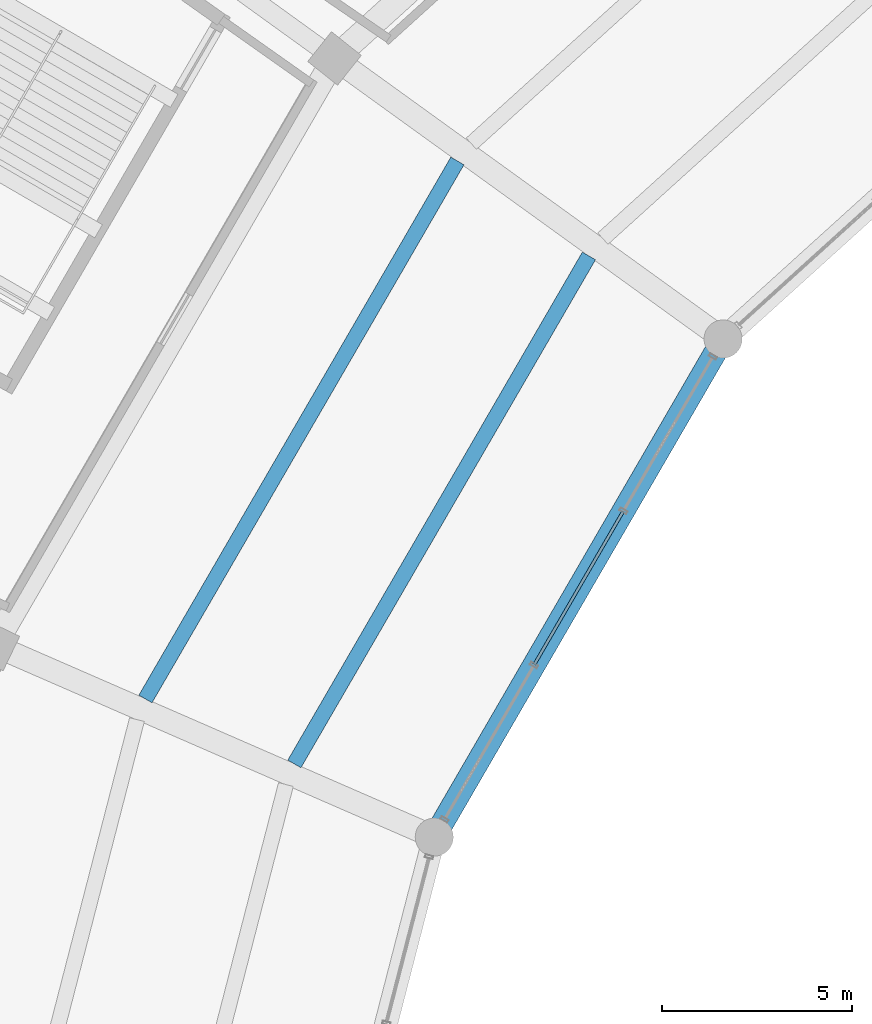
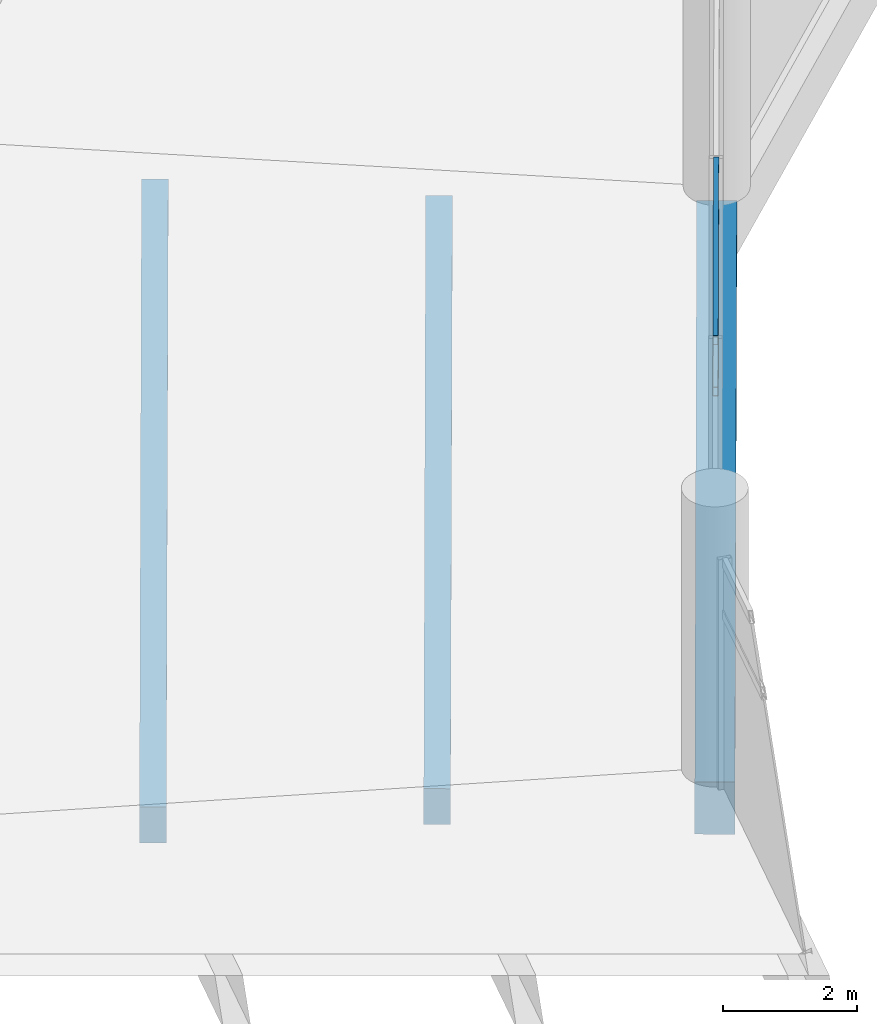
# One storey, part 58 of 184: 3 beams, 2 members, 1 element without a shape of its own.
"""IFC4 building model written with IfcOpenShell, lengths in metres."""

from ifc_helpers import new_model, si_unit, direction, frame, origin, origin_2d, place, context, subcontext, project, spatial, rectangle, hollow_rectangle, extrude, material, layer, layer_set, material_profile, profile_set, type_object, element, aggregate, save


model = new_model("IFC4")

# Units and contexts
model_context = context("Model", 3, precision=1e-05, world=origin(), true_north=direction((0.0, 1.0)))
body_context = subcontext(model_context, "Body", "Model", "MODEL_VIEW")
ifc_project = project(units=[si_unit("LENGTHUNIT", "METRE"), si_unit("AREAUNIT", "SQUARE_METRE"), si_unit("VOLUMEUNIT", "CUBIC_METRE"), si_unit("PLANEANGLEUNIT", "RADIAN"), si_unit("MASSUNIT", "GRAM", prefix="KILO")], contexts=[model_context])

# Site, building, storey
site_placement = place(None, origin())
site = spatial("IfcSite", under=ifc_project, at=site_placement, CompositionType="ELEMENT")
building_placement = place(site_placement, origin())
building = spatial("IfcBuilding", under=site, at=building_placement, Name="Kazemori Nagisa Stadium", CompositionType="ELEMENT")
storey_placement = place(building_placement, frame((0.0, 0.0, 10.5400390625)))
storey = spatial("IfcBuildingStorey", under=building, at=storey_placement, Name="L02", CompositionType="ELEMENT", Elevation=10.5400390625)

# Beams
ifc_material_1 = material(Name="Concrete C40/50 (Fc42)", Category="concrete")
ifc_material_profile_1 = material_profile(ifc_material_1, rectangle(XDim=0.60009765625, YDim=0.949951171875, at=origin_2d()), Name="RC-BM-600x950")
ifc_profile_set_1 = profile_set([ifc_material_profile_1], Name="Concrete C40/50 (Fc42)")
beam_type_1 = type_object("IfcBeamType", Name="Beam_BG-RC600X950", PredefinedType="BEAM", material=ifc_profile_set_1)
beam_1_placement = place(storey_placement, frame((65.698486328125, 143.367431640625, -0.735107421875), z_axis=(-0.501613453924, -0.865091869597, 0.0), x_axis=(0.865091869597, -0.501613453924, 0.0)))
element("IfcBeam", 1, at=beam_1_placement, inside=storey, type_object=beam_type_1, Name="Ring girder BG-RC600X950 L02 R1-12", PredefinedType="BEAM", context=body_context, shape_type="SweptSolid", body=[
    extrude(rectangle(XDim=0.60009765625, YDim=0.949951171875, at=origin_2d()), origin(), (0.0, 0.0, 1.0), 15.1201171875),
])
ifc_material_profile_2 = material_profile(ifc_material_1, rectangle(XDim=0.39990234375, YDim=0.64990234375, at=origin_2d()), Name="RC-BM-400x650")
ifc_profile_set_2 = profile_set([ifc_material_profile_2], Name="Concrete C40/50 (Fc42)")
beam_type_2 = type_object("IfcBeamType", Name="Beam_BJ-RC400X650", PredefinedType="JOIST", material=ifc_profile_set_2)
beam_2_placement = place(storey_placement, frame((62.175048828125, 145.548828125, -0.5849609375), z_axis=(-0.501607199617, -0.865095496054, 0.0), x_axis=(0.865095496054, -0.501607199617, 0.0)))
element("IfcBeam", 2, at=beam_2_placement, inside=storey, type_object=beam_type_2, Name="Concourse joist BJ-RC400X650 L02 B12-1", PredefinedType="JOIST", context=body_context, shape_type="SweptSolid", body=[
    extrude(rectangle(XDim=0.39990234375, YDim=0.64990234375, at=origin_2d()), origin(), (0.0, 0.0, 1.0), 15.420654296875),
])
beam_3_placement = place(storey_placement, frame((58.72119140625, 148.042236328125, -0.5849609375), z_axis=(-0.501604213872, -0.865097227268, 0.0), x_axis=(0.865097227268, -0.501604213872, 0.0)))
element("IfcBeam", 3, at=beam_3_placement, inside=storey, type_object=beam_type_2, Name="Concourse joist BJ-RC400X650 L02 B12-2", PredefinedType="JOIST", context=body_context, shape_type="SweptSolid", body=[
    extrude(rectangle(XDim=0.39990234375, YDim=0.64990234375, at=origin_2d()), origin(), (0.0, 0.0, 1.0), 16.331787109375),
])

# Curtain wall, members
ifc_material_2 = material(Name="Anodised aluminium 6063-T5", Category="aluminium")
ifc_layer = layer(ifc_material_2, 0.2099609375, Name="Anodised aluminium 6063-T5", Category="aluminium")
ifc_layer_set = layer_set([ifc_layer], Name="Anodised aluminium 6063-T5")
curtain_wall_type = type_object("IfcCurtainWallType", Name="CW_L02B_71", PredefinedType="USERDEFINED", material=ifc_layer_set)
curtain_wall_placement = place(storey_placement, origin())
curtain_wall = element("IfcCurtainWall", 4, at=curtain_wall_placement, inside=storey, type_object=curtain_wall_type, Name="Unitised curtain wall CW-L02B-71 L02", ObjectType="UNITISED CURTAIN WALL", PredefinedType="USERDEFINED")
ifc_material_3 = material(Name="Aluminium 6063-T5 anodised", Category="aluminium")
ifc_material_profile_3 = material_profile(ifc_material_3, hollow_rectangle(XDim=0.080078125, YDim=0.159912109375, WallThickness=0.00390625, at=origin_2d()), Name="ALU-TRAN-80x160x4")
ifc_profile_set_3 = profile_set([ifc_material_profile_3], Name="Aluminium 6063-T5 anodised")
member_type = type_object("IfcMemberType", Name="Transom_T02", PredefinedType="USERDEFINED", material=ifc_profile_set_3)
member_1_placement = place(storey_placement, frame((63.07080078125, 138.835693359375, 3.184326171875), z_axis=(-0.501610282552, -0.865093708472, 0.0), x_axis=(0.865093708472, -0.501610282552, 0.0)))
member_1 = element("IfcMember", 5, at=member_1_placement, type_object=member_type, Name="Curtain wall transom CW-L02B-71-T2-mid", ObjectType="TRANSOM", PredefinedType="USERDEFINED", context=body_context, shape_type="SweptSolid", body=[
    extrude(hollow_rectangle(XDim=0.080078125, YDim=0.159912109375, WallThickness=0.00390625, at=origin_2d()), origin(), (0.0, 0.0, 1.0), 4.643310546875),
])
member_2_placement = place(storey_placement, frame((63.07080078125, 138.835693359375, 4.119873046875), z_axis=(-0.501610282552, -0.865093708472, 0.0), x_axis=(0.865093708472, -0.501610282552, 0.0)))
member_2 = element("IfcMember", 6, at=member_2_placement, type_object=member_type, Name="Curtain wall transom CW-L02B-71-T2-head", ObjectType="TRANSOM", PredefinedType="USERDEFINED", context=body_context, shape_type="SweptSolid", body=[
    extrude(hollow_rectangle(XDim=0.080078125, YDim=0.159912109375, WallThickness=0.00390625, at=origin_2d()), origin(), (0.0, 0.0, 1.0), 4.643310546875),
])
aggregate(curtain_wall, [member_1, member_2])

save(model, "model.ifc")
